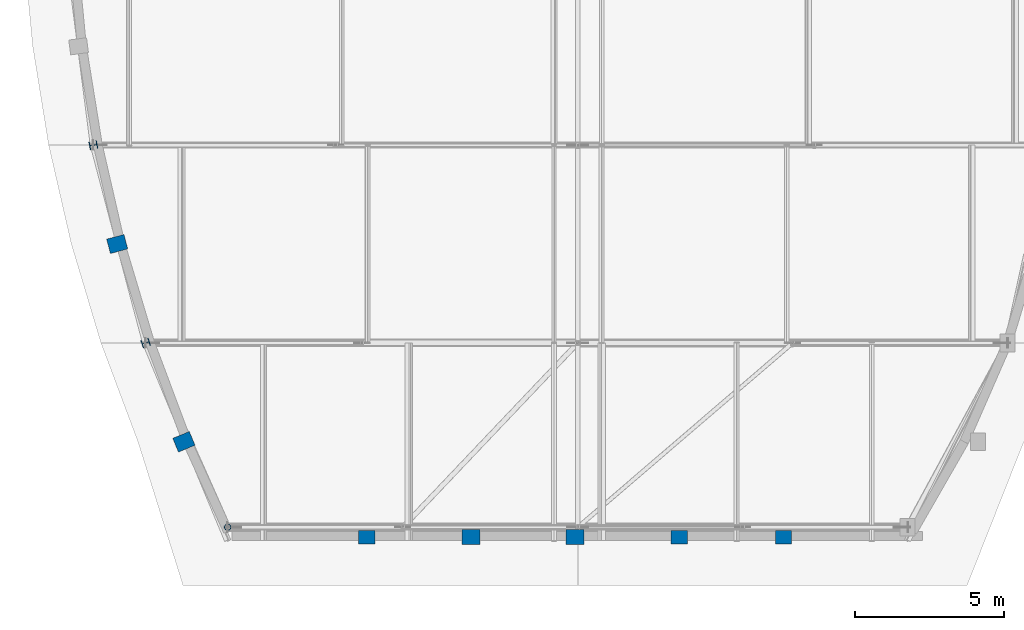
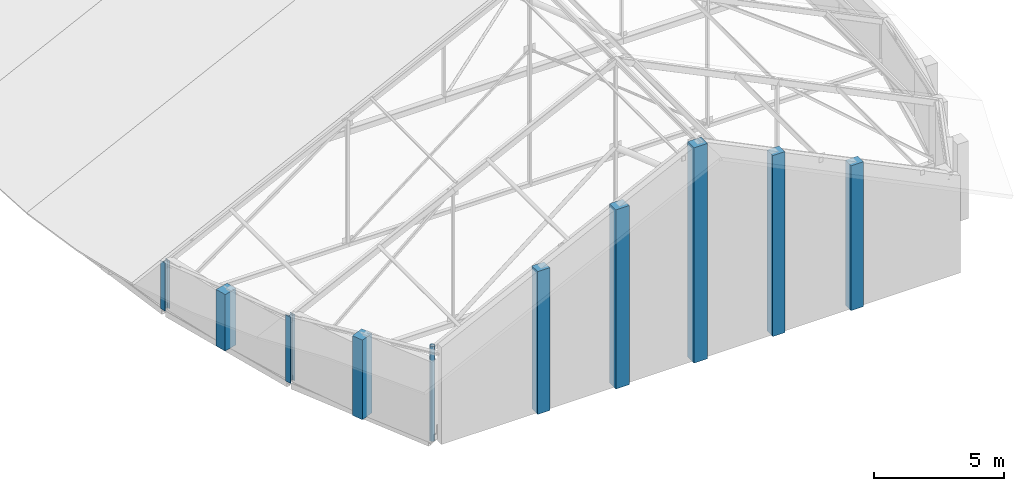
# One storey, part 1 of 78: 10 columns.
"""IFC4 building model written with IfcOpenShell, lengths in metres."""

from ifc_helpers import new_model, si_unit, direction, frame, origin, origin_2d, place, context, subcontext, project, spatial, rectangle, hollow_circle, i_section, extrude, material, material_profile, profile_set, type_object, element, save


model = new_model("IFC4")

# Units and contexts
model_context = context("Model", 3, precision=1e-05, world=origin(), true_north=direction((0.0, 1.0)))
body_context = subcontext(model_context, "Body", "Model", "MODEL_VIEW")
ifc_project = project(units=[si_unit("LENGTHUNIT", "METRE"), si_unit("AREAUNIT", "SQUARE_METRE"), si_unit("VOLUMEUNIT", "CUBIC_METRE"), si_unit("PLANEANGLEUNIT", "RADIAN"), si_unit("MASSUNIT", "GRAM", prefix="KILO")], contexts=[model_context])

# Site, building, storey
site_placement = place(None, origin())
site = spatial("IfcSite", under=ifc_project, at=site_placement, CompositionType="ELEMENT")
building_placement = place(site_placement, origin())
building = spatial("IfcBuilding", under=site, at=building_placement, Name="Kelanivale Promenade Academy", CompositionType="ELEMENT")
storey_placement = place(building_placement, frame((0.0, 0.0, 16.199951171875)))
storey = spatial("IfcBuildingStorey", under=building, at=storey_placement, Name="L04", CompositionType="ELEMENT", Elevation=16.199951171875)

# Columns
ifc_material_1 = material(Name="Concrete C40/50", Category="concrete")
ifc_material_profile_1 = material_profile(ifc_material_1, rectangle(XDim=0.449951171875, YDim=0.550048828125, at=origin_2d()), Name="RC-PIL 450x550")
ifc_profile_set_1 = profile_set([ifc_material_profile_1], Name="Concrete C40/50")
column_type_1 = type_object("IfcColumnType", Name="PL-17 RC-PIL 450x550", PredefinedType="PILASTER", material=ifc_profile_set_1)
column_1_placement = place(storey_placement, frame((12.52001953125, 33.1201171875, 0.0), z_axis=(0.0, 0.0, 1.0), x_axis=(0.0, 1.0, 0.0)))
element("IfcColumn", 1, at=column_1_placement, inside=storey, type_object=column_type_1, Name="Column PL-17 at (12.5, 33.1) L04", PredefinedType="PILASTER", context=body_context, shape_type="SweptSolid", body=[
    extrude(rectangle(XDim=0.449951171875, YDim=0.550048828125, at=origin_2d()), origin(), (0.0, 0.0, 1.0), 6.734130859375),
])
column_2_placement = place(storey_placement, frame((22.9990234375, 33.1201171875, 0.0), z_axis=(0.0, 0.0, 1.0), x_axis=(0.0, 1.0, 0.0)))
element("IfcColumn", 2, at=column_2_placement, inside=storey, type_object=column_type_1, Name="Column PL-17 at (23.0, 33.1) L04", PredefinedType="PILASTER", context=body_context, shape_type="SweptSolid", body=[
    extrude(rectangle(XDim=0.449951171875, YDim=0.550048828125, at=origin_2d()), origin(), (0.0, 0.0, 1.0), 8.531982421875),
])
column_3_placement = place(storey_placement, frame((26.491943359375, 33.1201171875, 0.0), z_axis=(0.0, 0.0, 1.0), x_axis=(0.0, 1.0, 0.0)))
element("IfcColumn", 3, at=column_3_placement, inside=storey, type_object=column_type_1, Name="Column PL-17 at (26.5, 33.1) L04", PredefinedType="PILASTER", context=body_context, shape_type="SweptSolid", body=[
    extrude(rectangle(XDim=0.449951171875, YDim=0.550048828125, at=origin_2d()), origin(), (0.0, 0.0, 1.0), 6.825927734375),
])
ifc_material_profile_2 = material_profile(ifc_material_1, rectangle(XDim=0.5, YDim=0.60009765625, at=origin_2d()), Name="RC-PIL 500x600")
ifc_profile_set_2 = profile_set([ifc_material_profile_2], Name="Concrete C40/50")
column_type_2 = type_object("IfcColumnType", Name="PL-18 RC-PIL 500x600", PredefinedType="PILASTER", material=ifc_profile_set_2)
column_4_placement = place(storey_placement, frame((4.157958984375, 42.943115234375, 0.0), z_axis=(0.0, 0.0, 1.0), x_axis=(-0.2549394954, 0.966957007154, 0.0)))
element("IfcColumn", 4, at=column_4_placement, inside=storey, type_object=column_type_2, Name="Column PL-18 at (4.2, 42.9) L04", PredefinedType="PILASTER", context=body_context, shape_type="SweptSolid", body=[
    extrude(rectangle(XDim=0.5, YDim=0.60009765625, at=origin_2d()), origin(), (0.0, 0.0, 1.0), 2.6611328125),
])
column_5_placement = place(storey_placement, frame((6.39306640625, 36.31396484375, 0.0), z_axis=(0.0, 0.0, 1.0), x_axis=(-0.382360914263, 0.92401305794, 0.0)))
element("IfcColumn", 5, at=column_5_placement, inside=storey, type_object=column_type_2, Name="Column PL-18 at (6.4, 36.3) L04", PredefinedType="PILASTER", context=body_context, shape_type="SweptSolid", body=[
    extrude(rectangle(XDim=0.5, YDim=0.60009765625, at=origin_2d()), origin(), (0.0, 0.0, 1.0), 3.751953125),
])
column_6_placement = place(storey_placement, frame((16.012939453125, 33.1201171875, 0.0), z_axis=(0.0, 0.0, 1.0), x_axis=(0.0, 1.0, 0.0)))
element("IfcColumn", 6, at=column_6_placement, inside=storey, type_object=column_type_2, Name="Column PL-18 at (16.0, 33.1) L04", PredefinedType="PILASTER", context=body_context, shape_type="SweptSolid", body=[
    extrude(rectangle(XDim=0.5, YDim=0.60009765625, at=origin_2d()), origin(), (0.0, 0.0, 1.0), 8.43994140625),
])
column_7_placement = place(storey_placement, frame((19.506103515625, 33.1201171875, 0.0), z_axis=(0.0, 0.0, 1.0), x_axis=(0.0, 1.0, 0.0)))
element("IfcColumn", 7, at=column_7_placement, inside=storey, type_object=column_type_2, Name="Column PL-18 at (19.5, 33.1) L04", PredefinedType="PILASTER", context=body_context, shape_type="SweptSolid", body=[
    extrude(rectangle(XDim=0.5, YDim=0.60009765625, at=origin_2d()), origin(), (0.0, 0.0, 1.0), 10.14599609375),
])
ifc_material_2 = material(Name="Steel S355", Category="steel")
ifc_material_profile_3 = material_profile(ifc_material_2, i_section(OverallWidth=0.25634765625, OverallDepth=0.26025390625, WebThickness=0.01025390625, FlangeThickness=0.017333984375, FilletRadius=0.0126953125, at=origin_2d()), Name="UC 254x254x89")
ifc_profile_set_3 = profile_set([ifc_material_profile_3], Name="Steel S355")
column_type_3 = type_object("IfcColumnType", Name="SC-03 UC 254x254x89", PredefinedType="COLUMN", material=ifc_profile_set_3)
column_8_placement = place(storey_placement, frame((3.35888671875, 46.257080078125, 0.0), z_axis=(0.0, 0.0, 1.0), x_axis=(-0.191151636272, 0.981560518741, 0.0)))
element("IfcColumn", 8, at=column_8_placement, inside=storey, type_object=column_type_3, Name="Column SC-03 at (3.4, 46.3) L04", PredefinedType="COLUMN", context=body_context, shape_type="SweptSolid", body=[
    extrude(i_section(OverallWidth=0.25634765625, OverallDepth=0.26025390625, WebThickness=0.01025390625, FlangeThickness=0.017333984375, FilletRadius=0.0126953125, at=origin_2d()), origin(), (0.0, 0.0, 1.0), 2.27001953125),
])
column_9_placement = place(storey_placement, frame((5.111083984375, 39.62890625, 0.0), z_axis=(0.0, 0.0, 1.0), x_axis=(-0.318628456287, 0.947879690069, 0.0)))
element("IfcColumn", 9, at=column_9_placement, inside=storey, type_object=column_type_3, Name="Column SC-03 at (5.1, 39.6) L04", PredefinedType="COLUMN", context=body_context, shape_type="SweptSolid", body=[
    extrude(i_section(OverallWidth=0.25634765625, OverallDepth=0.26025390625, WebThickness=0.01025390625, FlangeThickness=0.017333984375, FilletRadius=0.0126953125, at=origin_2d()), origin(), (0.0, 0.0, 1.0), 3.1259765625),
])
ifc_material_profile_4 = material_profile(ifc_material_2, hollow_circle(Radius=0.109619140625, WallThickness=0.010009765625, at=origin_2d()), Name="CHS 219.1x10.0")
ifc_profile_set_4 = profile_set([ifc_material_profile_4], Name="Steel S355")
column_type_4 = type_object("IfcColumnType", Name="SC-06 CHS 219.1x10.0", PredefinedType="PILASTER", material=ifc_profile_set_4)
column_10_placement = place(storey_placement, frame((7.862060546875, 33.449951171875, 0.0), z_axis=(0.0, 0.0, 1.0), x_axis=(-0.44619781311, 0.894934361602, 0.0)))
element("IfcColumn", 10, at=column_10_placement, inside=storey, type_object=column_type_4, Name="Column SC-06 at (7.9, 33.5) L04", PredefinedType="PILASTER", context=body_context, shape_type="SweptSolid", body=[
    extrude(hollow_circle(Radius=0.109619140625, WallThickness=0.010009765625, at=origin_2d()), origin(), (0.0, 0.0, 1.0), 4.468994140625),
])

save(model, "model.ifc")
